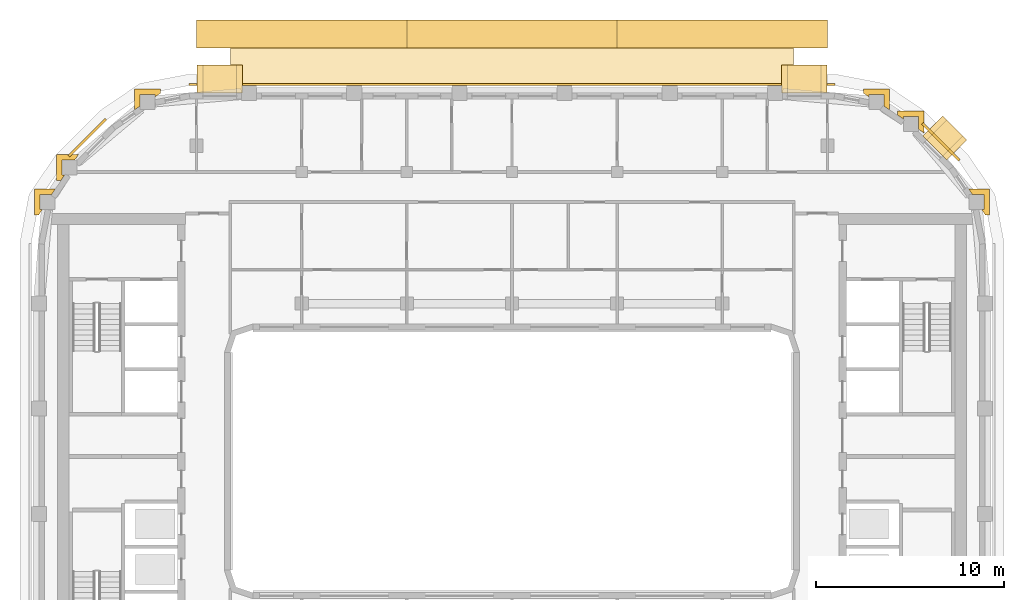
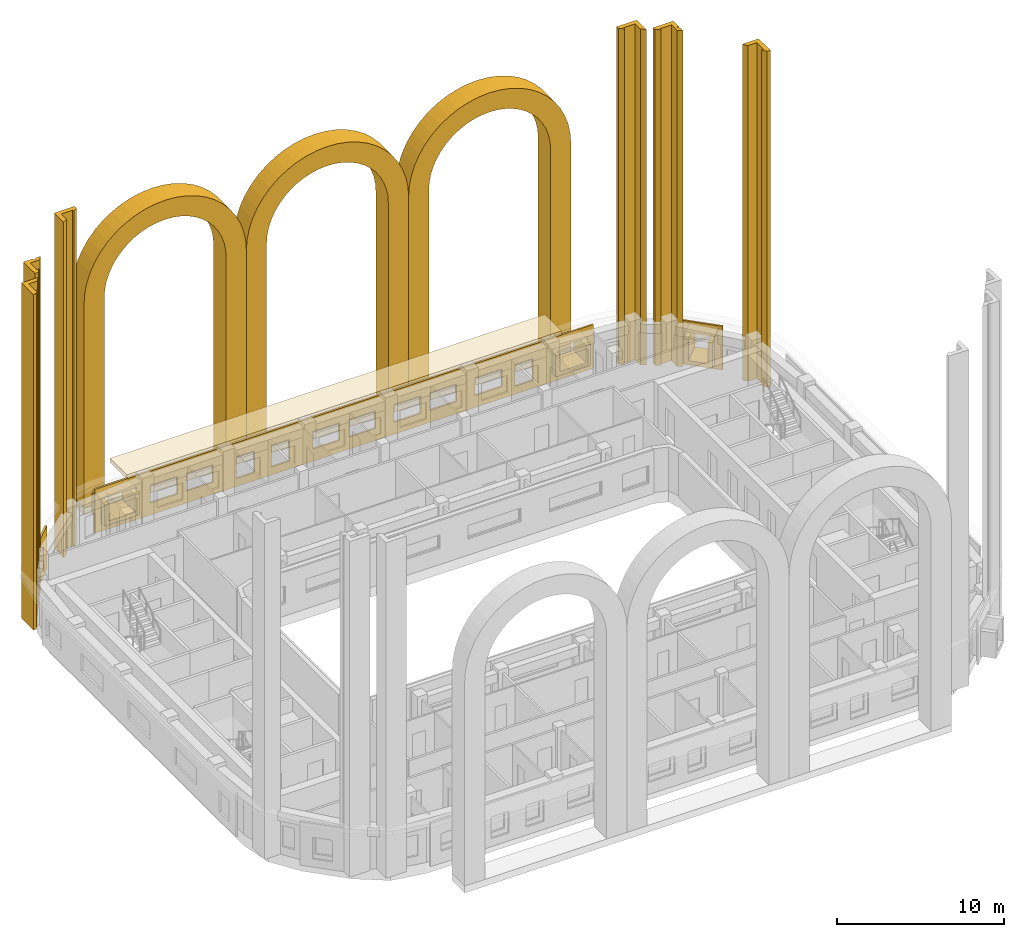
# One storey, part 18 of 19: 20 coverings.
"""IFC4 building model written with IfcOpenShell, lengths in metres."""

from ifc_helpers import new_model, si_unit, direction, frame, origin, origin_2d, place, context, subcontext, project, spatial, polyline, rectangle, outline, extrude, material, layer, layer_set, type_object, element, save


model = new_model("IFC4")

# Units and contexts
model_context = context("Model", 3, precision=1e-05, world=origin(), true_north=direction((0.0, 1.0)))
body_context = subcontext(model_context, "Body", "Model", "MODEL_VIEW")
ifc_project = project(units=[si_unit("LENGTHUNIT", "METRE"), si_unit("AREAUNIT", "SQUARE_METRE"), si_unit("VOLUMEUNIT", "CUBIC_METRE"), si_unit("PLANEANGLEUNIT", "RADIAN"), si_unit("MASSUNIT", "GRAM", prefix="KILO")], contexts=[model_context])

# Site, building, storey
site_placement = place(None, origin())
site = spatial("IfcSite", under=ifc_project, at=site_placement, CompositionType="ELEMENT")
building_placement = place(site_placement, origin())
building = spatial("IfcBuilding", under=site, at=building_placement, Name="Kiln Ring Residences", CompositionType="ELEMENT")
storey_placement = place(building_placement, frame((0.0, 0.0, 241.699951171875)))
storey = spatial("IfcBuildingStorey", under=building, at=storey_placement, Name="L62", CompositionType="ELEMENT", Elevation=241.699951171875)

# Coverings
ifc_material_1 = material(Name="Brick masonry, dark clay brick", Category="masonry")
ifc_layer_1 = layer(ifc_material_1, 0.5)
ifc_layer_set_1 = layer_set([ifc_layer_1], Name="ARCADE PLINTH 500")
covering_type_1 = type_object("IfcCoveringType", Name="ARCADE PLINTH 500", PredefinedType="CLADDING", material=ifc_layer_set_1)
placement = place(storey_placement, origin())
element("IfcCovering", 1, at=placement, inside=storey, type_object=covering_type_1, Name="ARCADE PLINTH Z5 N", PredefinedType="CLADDING", context=body_context, shape_type="SweptSolid", body=[
    extrude(outline(polyline([(-16.800048828125, 22.0), (16.800048828125, 22.0), (16.800048828125, 23.5), (-16.800048828125, 23.5), (-16.800048828125, 22.0)])), origin(), (0.0, 0.0, 1.0), 0.5),
])
ifc_material_2 = material(Name="Brick masonry, dark clay brick", Category="masonry")
ifc_layer_2 = layer(ifc_material_2, 1.39990234375)
ifc_layer_set_2 = layer_set([ifc_layer_2], Name="ARCH SURROUND 1500")
covering_type_2 = type_object("IfcCoveringType", Name="ARCH SURROUND 1500", PredefinedType="CLADDING", material=ifc_layer_set_2)
covering_2_placement = place(storey_placement, frame((-16.800048828125, 22.75, 0.5), z_axis=(0.0, 0.0, 1.0), x_axis=(1.0, 0.0, 0.0)))
element("IfcCovering", 2, at=covering_2_placement, inside=storey, type_object=covering_type_2, Name="ARCH SURROUND Z5 N1.1", PredefinedType="CLADDING", context=body_context, shape_type="SweptSolid", body=[
    extrude(outline(polyline([(0.0, 0.0), (0.0, 14.900146484375), (0.0478515625, 15.630859375), (0.19091796875, 16.349365234375), (0.42626953125, 17.04296875), (0.750244140625, 17.699951171875), (1.1572265625, 18.30908203125), (1.64013671875, 18.85986328125), (2.19091796875, 19.3427734375), (2.800048828125, 19.749755859375), (3.45703125, 20.07373046875), (4.150634765625, 20.309326171875), (4.869140625, 20.4521484375), (5.60009765625, 20.5), (6.330810546875, 20.4521484375), (7.04931640625, 20.309326171875), (7.742919921875, 20.07373046875), (8.39990234375, 19.749755859375), (9.009033203125, 19.3427734375), (9.559814453125, 18.85986328125), (10.042724609375, 18.30908203125), (10.44970703125, 17.699951171875), (10.773681640625, 17.04296875), (11.00927734375, 16.349365234375), (11.152099609375, 15.630859375), (11.199951171875, 14.900146484375), (11.199951171875, 0.0), (9.800048828125, 0.0), (9.800048828125, 14.900146484375), (9.76416015625, 15.4482421875), (9.656982421875, 15.987060546875), (9.480224609375, 16.50732421875), (9.2373046875, 17.0), (8.93212890625, 17.456787109375), (8.56982421875, 17.869873046875), (8.15673828125, 18.232177734375), (7.699951171875, 18.537353515625), (7.207275390625, 18.7802734375), (6.68701171875, 18.95703125), (6.148193359375, 19.064208984375), (5.60009765625, 19.10009765625), (5.0517578125, 19.064208984375), (4.512939453125, 18.95703125), (3.99267578125, 18.7802734375), (3.5, 18.537353515625), (3.043212890625, 18.232177734375), (2.630126953125, 17.869873046875), (2.267822265625, 17.456787109375), (1.962646484375, 17.0), (1.7197265625, 16.50732421875), (1.543212890625, 15.987060546875), (1.435791015625, 15.4482421875), (1.39990234375, 14.900146484375), (1.39990234375, 0.0), (0.0, 0.0)])), frame((0.0, 0.75, 0.0), z_axis=(0.0, -1.0, 0.0), x_axis=(1.0, 0.0, 0.0)), (0.0, 0.0, 1.0), 1.5),
])
covering_3_placement = place(storey_placement, frame((-5.60009765625, 22.75, 0.5), z_axis=(0.0, 0.0, 1.0), x_axis=(1.0, 0.0, 0.0)))
element("IfcCovering", 3, at=covering_3_placement, inside=storey, type_object=covering_type_2, Name="ARCH SURROUND Z5 N1.2", PredefinedType="CLADDING", context=body_context, shape_type="SweptSolid", body=[
    extrude(outline(polyline([(0.0, 0.0), (0.0, 14.900146484375), (0.0478515625, 15.630859375), (0.19091796875, 16.349365234375), (0.42626953125, 17.04296875), (0.750244140625, 17.699951171875), (1.1572265625, 18.30908203125), (1.64013671875, 18.85986328125), (2.19091796875, 19.3427734375), (2.800048828125, 19.749755859375), (3.45703125, 20.07373046875), (4.150634765625, 20.309326171875), (4.869140625, 20.4521484375), (5.60009765625, 20.5), (6.330810546875, 20.4521484375), (7.04931640625, 20.309326171875), (7.742919921875, 20.07373046875), (8.39990234375, 19.749755859375), (9.009033203125, 19.3427734375), (9.559814453125, 18.85986328125), (10.042724609375, 18.30908203125), (10.44970703125, 17.699951171875), (10.773681640625, 17.04296875), (11.00927734375, 16.349365234375), (11.152099609375, 15.630859375), (11.199951171875, 14.900146484375), (11.199951171875, 0.0), (9.800048828125, 0.0), (9.800048828125, 14.900146484375), (9.76416015625, 15.4482421875), (9.656982421875, 15.987060546875), (9.480224609375, 16.50732421875), (9.2373046875, 17.0), (8.93212890625, 17.456787109375), (8.56982421875, 17.869873046875), (8.15673828125, 18.232177734375), (7.699951171875, 18.537353515625), (7.207275390625, 18.7802734375), (6.68701171875, 18.95703125), (6.148193359375, 19.064208984375), (5.60009765625, 19.10009765625), (5.0517578125, 19.064208984375), (4.512939453125, 18.95703125), (3.99267578125, 18.7802734375), (3.5, 18.537353515625), (3.043212890625, 18.232177734375), (2.630126953125, 17.869873046875), (2.267822265625, 17.456787109375), (1.962646484375, 17.0), (1.7197265625, 16.50732421875), (1.543212890625, 15.987060546875), (1.435791015625, 15.4482421875), (1.39990234375, 14.900146484375), (1.39990234375, 0.0), (0.0, 0.0)])), frame((0.0, 0.75, 0.0), z_axis=(0.0, -1.0, 0.0), x_axis=(1.0, 0.0, 0.0)), (0.0, 0.0, 1.0), 1.5),
])
covering_4_placement = place(storey_placement, frame((5.60009765625, 22.75, 0.5), z_axis=(0.0, 0.0, 1.0), x_axis=(1.0, 0.0, 0.0)))
element("IfcCovering", 4, at=covering_4_placement, inside=storey, type_object=covering_type_2, Name="ARCH SURROUND Z5 N1.3", PredefinedType="CLADDING", context=body_context, shape_type="SweptSolid", body=[
    extrude(outline(polyline([(0.0, 0.0), (0.0, 14.900146484375), (0.0478515625, 15.630859375), (0.19091796875, 16.349365234375), (0.42626953125, 17.04296875), (0.750244140625, 17.699951171875), (1.1572265625, 18.30908203125), (1.64013671875, 18.85986328125), (2.19091796875, 19.3427734375), (2.800048828125, 19.749755859375), (3.45703125, 20.07373046875), (4.150634765625, 20.309326171875), (4.869140625, 20.4521484375), (5.60009765625, 20.5), (6.330810546875, 20.4521484375), (7.04931640625, 20.309326171875), (7.742919921875, 20.07373046875), (8.39990234375, 19.749755859375), (9.009033203125, 19.3427734375), (9.559814453125, 18.85986328125), (10.042724609375, 18.30908203125), (10.44970703125, 17.699951171875), (10.773681640625, 17.04296875), (11.00927734375, 16.349365234375), (11.152099609375, 15.630859375), (11.199951171875, 14.900146484375), (11.199951171875, 0.0), (9.800048828125, 0.0), (9.800048828125, 14.900146484375), (9.76416015625, 15.4482421875), (9.656982421875, 15.987060546875), (9.480224609375, 16.50732421875), (9.2373046875, 17.0), (8.93212890625, 17.456787109375), (8.56982421875, 17.869873046875), (8.15673828125, 18.232177734375), (7.699951171875, 18.537353515625), (7.207275390625, 18.7802734375), (6.68701171875, 18.95703125), (6.148193359375, 19.064208984375), (5.60009765625, 19.10009765625), (5.0517578125, 19.064208984375), (4.512939453125, 18.95703125), (3.99267578125, 18.7802734375), (3.5, 18.537353515625), (3.043212890625, 18.232177734375), (2.630126953125, 17.869873046875), (2.267822265625, 17.456787109375), (1.962646484375, 17.0), (1.7197265625, 16.50732421875), (1.543212890625, 15.987060546875), (1.435791015625, 15.4482421875), (1.39990234375, 14.900146484375), (1.39990234375, 0.0), (0.0, 0.0)])), frame((0.0, 0.75, 0.0), z_axis=(0.0, -1.0, 0.0), x_axis=(1.0, 0.0, 0.0)), (0.0, 0.0, 1.0), 1.5),
])
ifc_material_3 = material(Name="Brick masonry, dark clay brick", Category="masonry")
ifc_layer_3 = layer(ifc_material_3, 0.300048828125)
ifc_layer_set_3 = layer_set([ifc_layer_3], Name="FRAME CHEEKS AND SILL 1500")
covering_type_3 = type_object("IfcCoveringType", Name="FRAME CHEEKS AND SILL 1500", PredefinedType="CLADDING", material=ifc_layer_set_3)
covering_5_placement = place(storey_placement, frame((23.6796875, 16.5810546875, 0.300048828125), z_axis=(0.0, 0.0, 1.0), x_axis=(-0.707106781187, 0.707106781187, 0.0)))
element("IfcCovering", 5, at=covering_5_placement, inside=storey, type_object=covering_type_3, Name="FRAME L62", PredefinedType="CLADDING", context=body_context, shape_type="SweptSolid", body=[
    extrude(outline(polyline([(0.0, 0.0), (1.7998046875, 0.0), (1.800048828125, 1.85009765625), (1.5009765625, 1.85009765625), (1.5, 0.300048828125), (0.300048828125, 0.300048828125), (0.299072265625, 1.85009765625), (0.0, 1.85009765625), (0.0, 0.0)])), frame((0.0, 0.75, 0.0), z_axis=(0.0, -1.0, 0.0), x_axis=(1.0, 0.0, 0.0)), (0.0, 0.0, 1.0), 1.5),
])
for number, where, z_axis, x_axis, name in (
    (6, (16.762451171875, 20.35009765625, 0.60009765625), (0.0, 0.0, 1.0), (-1.0, 0.0, 0.0), "FRAME L62"),
    (7, (-14.362548828125, 20.35009765625, 0.60009765625), (0.0, 0.0, 1.0), (-1.0, 0.0, 0.0), "FRAME L62"),
):
    element("IfcCovering", number, at=place(storey_placement, frame(where, z_axis=z_axis, x_axis=x_axis)), inside=storey, type_object=covering_type_3, Name=name, PredefinedType="CLADDING", context=body_context, shape_type="SweptSolid", body=[
        extrude(outline(polyline([(0.0, 0.0), (2.39990234375, 0.0), (2.39990234375, 1.550048828125), (2.10107421875, 1.550048828125), (2.10009765625, 0.300048828125), (0.300048828125, 0.300048828125), (0.299072265625, 1.550048828125), (0.0, 1.550048828125), (0.0, 0.0)])), frame((0.0, 0.75, 0.0), z_axis=(0.0, -1.0, 0.0), x_axis=(1.0, 0.0, 0.0)), (0.0, 0.0, 1.0), 1.5),
    ])
ifc_material_4 = material(Name="Brick masonry, dark clay brick", Category="masonry")
ifc_layer_4 = layer(ifc_material_4, 0.199951171875)
ifc_layer_set_4 = layer_set([ifc_layer_4], Name="FRAME HEAD 1500")
covering_type_4 = type_object("IfcCoveringType", Name="FRAME HEAD 1500", PredefinedType="CLADDING", material=ifc_layer_set_4)
covering_6_placement = place(storey_placement, frame((23.043212890625, 17.21728515625, 2.14990234375), z_axis=(0.0, 0.0, 1.0), x_axis=(-0.707106781187, 0.707106781187, 0.0)))
element("IfcCovering", 8, at=covering_6_placement, inside=storey, type_object=covering_type_4, Name="FRAME HEAD L62", PredefinedType="CLADDING", context=body_context, shape_type="SweptSolid", body=[
    extrude(rectangle(XDim=1.800048828125, YDim=1.5, at=origin_2d()), origin(), (0.0, 0.0, 1.0), 0.199951171875),
])
for number, where, z_axis, x_axis, name in (
    (9, (15.5625, 20.35009765625, 2.14990234375), (0.0, 0.0, 1.0), (-1.0, 0.0, 0.0), "FRAME HEAD L62"),
    (10, (-15.5625, 20.35009765625, 2.14990234375), (0.0, 0.0, 1.0), (-1.0, 0.0, 0.0), "FRAME HEAD L62"),
):
    element("IfcCovering", number, at=place(storey_placement, frame(where, z_axis=z_axis, x_axis=x_axis)), inside=storey, type_object=covering_type_4, Name=name, PredefinedType="CLADDING", context=body_context, shape_type="SweptSolid", body=[
        extrude(rectangle(XDim=2.39990234375, YDim=1.5, at=origin_2d()), origin(), (0.0, 0.0, 1.0), 0.199951171875),
    ])
ifc_material_5 = material(Name="Brick masonry, dark clay brick", Category="masonry")
ifc_layer_5 = layer(ifc_material_5, 0.300048828125)
ifc_layer_set_5 = layer_set([ifc_layer_5], Name="PIER CLADDING 300")
covering_type_5 = type_object("IfcCoveringType", Name="PIER CLADDING 300", PredefinedType="CLADDING", material=ifc_layer_set_5)
element("IfcCovering", 11, at=placement, inside=storey, type_object=covering_type_5, Name="PIER CLADDING L62-L68", PredefinedType="CLADDING", context=body_context, shape_type="SweptSolid", body=[
    extrude(outline(polyline([(25.43798828125, 13.108642578125), (25.43798828125, 14.5087890625), (24.310546875, 14.5087890625), (24.514404296875, 14.208740234375), (25.13818359375, 14.208740234375), (25.13818359375, 13.40869140625), (25.010009765625, 13.40869140625), (25.2138671875, 13.108642578125), (25.43798828125, 13.108642578125)])), origin(), (0.0, 0.0, 1.0), 24.5),
])
element("IfcCovering", 12, at=placement, inside=storey, type_object=covering_type_5, Name="PIER CLADDING L62-L68", PredefinedType="CLADDING", context=body_context, shape_type="SweptSolid", body=[
    extrude(outline(polyline([(21.940185546875, 18.659912109375), (20.540283203125, 18.659912109375), (20.540283203125, 18.435546875), (20.840087890625, 18.231689453125), (20.840087890625, 18.35986328125), (21.64013671875, 18.35986328125), (21.64013671875, 17.68798828125), (21.940185546875, 17.484130859375), (21.940185546875, 17.82568359375), (21.805908203125, 17.959716796875), (21.890625, 18.04443359375), (21.940185546875, 17.9951171875), (21.940185546875, 18.659912109375)])), origin(), (0.0, 0.0, 1.0), 24.5),
])
element("IfcCovering", 13, at=placement, inside=storey, type_object=covering_type_5, Name="PIER CLADDING L62-L68", PredefinedType="CLADDING", context=body_context, shape_type="SweptSolid", body=[
    extrude(outline(polyline([(20.108642578125, 19.838134765625), (18.708740234375, 19.838134765625), (18.708740234375, 19.61376953125), (19.0087890625, 19.409912109375), (19.0087890625, 19.5380859375), (19.80859375, 19.5380859375), (19.80859375, 18.914306640625), (20.108642578125, 18.71044921875), (20.108642578125, 19.838134765625)])), origin(), (0.0, 0.0, 1.0), 24.5),
])
element("IfcCovering", 14, at=placement, inside=storey, type_object=covering_type_5, Name="PIER CLADDING L62-L68", PredefinedType="CLADDING", context=body_context, shape_type="SweptSolid", body=[
    extrude(outline(polyline([(-18.708740234375, 19.838134765625), (-20.108642578125, 19.838134765625), (-20.108642578125, 18.71044921875), (-19.80859375, 18.914306640625), (-19.80859375, 19.5380859375), (-19.0087890625, 19.5380859375), (-19.0087890625, 19.409912109375), (-18.708740234375, 19.61376953125), (-18.708740234375, 19.838134765625)])), origin(), (0.0, 0.0, 1.0), 24.5),
])
element("IfcCovering", 15, at=placement, inside=storey, type_object=covering_type_5, Name="PIER CLADDING L62-L68", PredefinedType="CLADDING", context=body_context, shape_type="SweptSolid", body=[
    extrude(outline(polyline([(-23.594970703125, 16.340087890625), (-24.259765625, 16.340087890625), (-24.259765625, 14.940185546875), (-24.035400390625, 14.940185546875), (-23.83154296875, 15.240234375), (-23.959716796875, 15.240234375), (-23.959716796875, 16.040283203125), (-23.2880859375, 16.040283203125), (-23.083984375, 16.340087890625), (-23.425537109375, 16.340087890625), (-23.559814453125, 16.2060546875), (-23.64453125, 16.290771484375), (-23.594970703125, 16.340087890625)])), origin(), (0.0, 0.0, 1.0), 24.5),
])
element("IfcCovering", 16, at=placement, inside=storey, type_object=covering_type_5, Name="PIER CLADDING L62-L68", PredefinedType="CLADDING", context=body_context, shape_type="SweptSolid", body=[
    extrude(outline(polyline([(-24.310546875, 14.5087890625), (-25.43798828125, 14.5087890625), (-25.43798828125, 13.108642578125), (-25.2138671875, 13.108642578125), (-25.010009765625, 13.40869140625), (-25.13818359375, 13.40869140625), (-25.13818359375, 14.208740234375), (-24.514404296875, 14.208740234375), (-24.310546875, 14.5087890625)])), origin(), (0.0, 0.0, 1.0), 24.5),
])
ifc_material_6 = material(Name="Brick masonry, dark clay brick", Category="masonry")
ifc_layer_6 = layer(ifc_material_6, 0.1201171875)
ifc_layer_set_6 = layer_set([ifc_layer_6], Name="RAINSCREEN PANEL 120")
covering_type_6 = type_object("IfcCoveringType", Name="RAINSCREEN PANEL 120", PredefinedType="CLADDING", material=ifc_layer_set_6)
covering_13_placement = place(storey_placement, frame((23.828125, 16.022216796875, 0.0), z_axis=(0.0, 0.0, 1.0), x_axis=(-0.707063182409, 0.707150377276, 0.0)))
element("IfcCovering", 17, at=covering_13_placement, inside=storey, type_object=covering_type_6, Name="RAINSCREEN L62", PredefinedType="CLADDING", context=body_context, shape_type="SweptSolid", body=[
    extrude(outline(polyline([(0.0, 0.0), (2.800048828125, 0.0), (2.800048828125, 3.199951171875), (0.0, 3.199951171875), (0.0, 0.0)]), holes=[polyline([(0.47998046875, 2.3701171875), (0.47998046875, 0.280029296875), (2.320068359375, 0.280029296875), (2.320068359375, 2.3701171875), (0.47998046875, 2.3701171875)])]), frame((0.0, 0.06005859375, 0.0), z_axis=(0.0, -1.0, 0.0), x_axis=(1.0, 0.0, 0.0)), (0.0, 0.0, 1.0), 0.1201171875),
])
covering_14_placement = place(storey_placement, frame((17.199951171875, 20.06005859375, 0.0), z_axis=(0.0, 0.0, 1.0), x_axis=(-1.0, 0.0, 0.0)))
element("IfcCovering", 18, at=covering_14_placement, inside=storey, type_object=covering_type_6, Name="RAINSCREEN L62", PredefinedType="CLADDING", context=body_context, shape_type="SweptSolid", body=[
    extrude(outline(polyline([(0.0, 0.0), (34.39990234375, 0.0), (34.39990234375, 3.199951171875), (0.0, 3.199951171875), (0.0, 0.0)]), holes=[polyline([(4.179931640625, 0.580078125), (5.419921875, 0.580078125), (5.419921875, 2.170166015625), (4.179931640625, 2.170166015625), (4.179931640625, 0.580078125)]), polyline([(0.41748046875, 2.3701171875), (0.41748046875, 0.580078125), (2.857421875, 0.580078125), (2.857421875, 2.3701171875), (0.41748046875, 2.3701171875)]), polyline([(6.3173828125, 2.170166015625), (6.3173828125, 0.880126953125), (8.157470703125, 0.880126953125), (8.157470703125, 2.170166015625), (6.3173828125, 2.170166015625)]), polyline([(9.4423828125, 0.880126953125), (11.282470703125, 0.880126953125), (11.282470703125, 2.170166015625), (9.4423828125, 2.170166015625), (9.4423828125, 0.880126953125)]), polyline([(11.91748046875, 2.170166015625), (11.91748046875, 0.880126953125), (13.757568359375, 0.880126953125), (13.757568359375, 2.170166015625), (11.91748046875, 2.170166015625)]), polyline([(15.04248046875, 2.170166015625), (15.04248046875, 0.880126953125), (16.882568359375, 0.880126953125), (16.882568359375, 2.170166015625), (15.04248046875, 2.170166015625)]), polyline([(20.97998046875, 0.580078125), (22.219970703125, 0.580078125), (22.219970703125, 2.170166015625), (20.97998046875, 2.170166015625), (20.97998046875, 0.580078125)]), polyline([(23.3798828125, 2.170166015625), (23.3798828125, 0.580078125), (24.6201171875, 0.580078125), (24.6201171875, 2.170166015625), (23.3798828125, 2.170166015625)]), polyline([(31.54248046875, 2.3701171875), (31.54248046875, 0.580078125), (33.982421875, 0.580078125), (33.982421875, 2.3701171875), (31.54248046875, 2.3701171875)]), polyline([(17.517578125, 0.880126953125), (19.357421875, 0.880126953125), (19.357421875, 2.170166015625), (17.517578125, 2.170166015625), (17.517578125, 0.880126953125)]), polyline([(26.242431640625, 2.170166015625), (26.242431640625, 0.880126953125), (28.08251953125, 0.880126953125), (28.08251953125, 2.170166015625), (26.242431640625, 2.170166015625)]), polyline([(28.717529296875, 2.170166015625), (28.717529296875, 0.880126953125), (30.5576171875, 0.880126953125), (30.5576171875, 2.170166015625), (28.717529296875, 2.170166015625)])]), frame((0.0, 0.06005859375, 0.0), z_axis=(0.0, -1.0, 0.0), x_axis=(1.0, 0.0, 0.0)), (0.0, 0.0, 1.0), 0.1201171875),
])
covering_15_placement = place(storey_placement, frame((-21.622314453125, 18.228271484375, 0.0), z_axis=(0.0, 0.0, 1.0), x_axis=(-0.707106781187, -0.707106781187, 0.0)))
element("IfcCovering", 19, at=covering_15_placement, inside=storey, type_object=covering_type_6, Name="RAINSCREEN L62", PredefinedType="CLADDING", context=body_context, shape_type="SweptSolid", body=[
    extrude(outline(polyline([(0.0, 0.0), (2.800048828125, 0.0), (2.800048828125, 3.199951171875), (0.0, 3.199951171875), (0.0, 0.0)]), holes=[polyline([(0.780029296875, 2.170166015625), (0.780029296875, 0.580078125), (2.02001953125, 0.580078125), (2.02001953125, 2.170166015625), (0.780029296875, 2.170166015625)])]), frame((0.0, 0.06005859375, 0.0), z_axis=(0.0, -1.0, 0.0), x_axis=(1.0, 0.0, 0.0)), (0.0, 0.0, 1.0), 0.1201171875),
])
ifc_material_7 = material(Name="Black powder-coated steel", Category="steel")
ifc_layer_7 = layer(ifc_material_7, 0.300048828125)
ifc_layer_set_7 = layer_set([ifc_layer_7], Name="SUNSHADE BAND 2000")
covering_type_7 = type_object("IfcCoveringType", Name="SUNSHADE BAND 2000", PredefinedType="CLADDING", material=ifc_layer_set_7)
covering_16_placement = place(storey_placement, frame((0.0, 0.0, 3.199951171875)))
element("IfcCovering", 20, at=covering_16_placement, inside=storey, type_object=covering_type_7, Name="SUNSHADE BAND L62", PredefinedType="CLADDING", context=body_context, shape_type="SweptSolid", body=[
    extrude(outline(polyline([(15.0, 22.0), (-15.0, 22.0), (-15.0, 20.0), (15.0, 20.0), (15.0, 22.0)])), origin(), (0.0, 0.0, 1.0), 0.300048828125),
])

save(model, "model.ifc")
